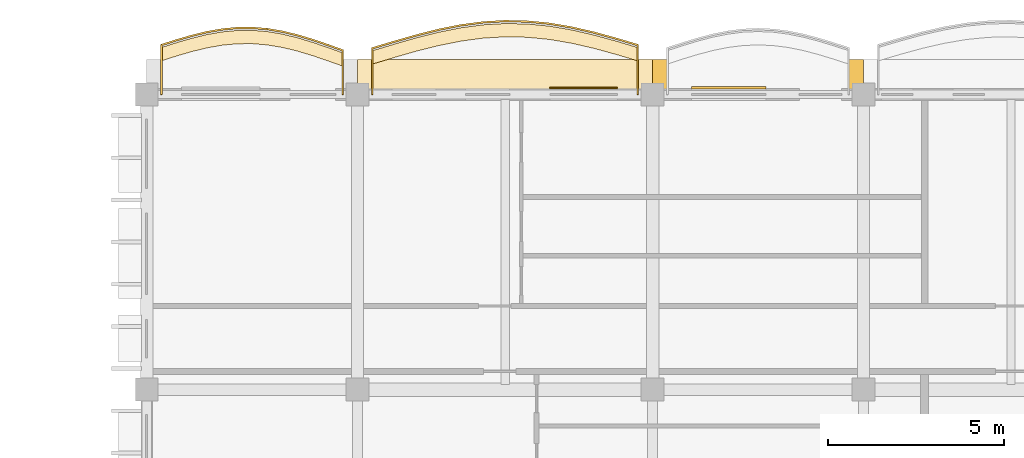
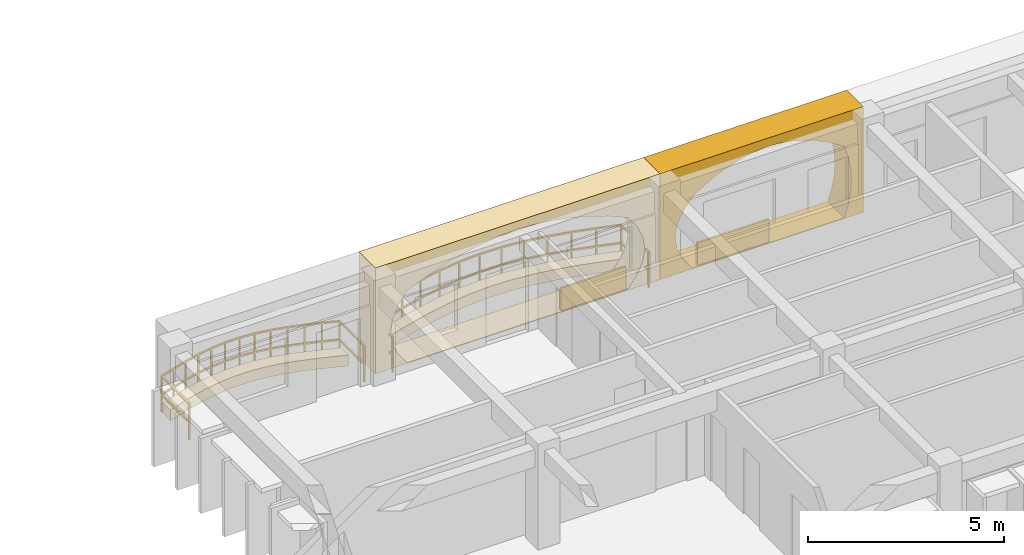
# One storey, part 55 of 70: 6 coverings, 2 railings.
"""IFC4 building model written with IfcOpenShell, lengths in metres."""

from ifc_helpers import new_model, si_unit, direction, frame, origin, origin_2d, place, context, subcontext, project, spatial, polyline, rectangle, outline, extrude, material, layer, layer_set, type_object, element, save


model = new_model("IFC4")

# Units and contexts
model_context = context("Model", 3, precision=1e-05, world=origin(), true_north=direction((0.0, 1.0)))
body_context = subcontext(model_context, "Body", "Model", "MODEL_VIEW")
ifc_project = project(units=[si_unit("LENGTHUNIT", "METRE"), si_unit("AREAUNIT", "SQUARE_METRE"), si_unit("VOLUMEUNIT", "CUBIC_METRE"), si_unit("PLANEANGLEUNIT", "RADIAN"), si_unit("MASSUNIT", "GRAM", prefix="KILO"), si_unit("THERMODYNAMICTEMPERATUREUNIT", "KELVIN")], contexts=[model_context])

# Site, building, storey
site_placement = place(None, origin())
site = spatial("IfcSite", under=ifc_project, at=site_placement, CompositionType="ELEMENT")
building_placement = place(site_placement, origin())
building = spatial("IfcBuilding", under=site, at=building_placement, Name="Thalorik Housing Commons", CompositionType="ELEMENT")
storey_placement = place(building_placement, frame((0.0, 0.0, 14.699951171875)))
storey = spatial("IfcBuildingStorey", under=building, at=storey_placement, Name="L04", CompositionType="ELEMENT", Elevation=14.699951171875)

# Coverings
ifc_material_1 = material(Name="Precast concrete C40/50", Category="concrete")
ifc_layer_1 = layer(ifc_material_1, 0.85009765625, Name="Precast concrete C40/50", Category="concrete")
ifc_layer_set_1 = layer_set([ifc_layer_1], Name="Precast concrete C40/50")
covering_type_1 = type_object("IfcCoveringType", Name="ARC-CLD-CUSH-850", PredefinedType="CLADDING", material=ifc_layer_set_1)
covering_1_placement = place(storey_placement, frame((97.800048828125, 124.177490234375, 0.0), z_axis=(0.0, 0.0, 1.0), x_axis=(-1.0, 0.0, 0.0)))
element("IfcCovering", 1, at=covering_1_placement, inside=storey, type_object=covering_type_1, Name="L04 White Precast Curved Cushion Bay Frame 2028", PredefinedType="CLADDING", context=body_context, shape_type="SweptSolid", body=[
    extrude(outline(polyline([(-3.0, 0.0), (3.0, 0.0), (3.0, 3.300048828125), (-3.0, 3.300048828125), (-3.0, 0.0)]), holes=[polyline([(2.0400390625, 0.02490234375), (2.3232421875, 0.3974609375), (2.493408203125, 0.77001953125), (2.550048828125, 1.142578125), (2.493408203125, 1.514892578125), (2.3232421875, 1.887451171875), (2.0400390625, 2.260009765625), (1.66748046875, 2.497314453125), (1.294921875, 2.683837890625), (0.922607421875, 2.8349609375), (0.550048828125, 2.947265625), (0.177490234375, 3.0166015625), (-0.195068359375, 3.0400390625), (-0.5673828125, 3.0166015625), (-0.93994140625, 2.947265625), (-1.3125, 2.8349609375), (-1.68505859375, 2.683837890625), (-2.0576171875, 2.497314453125), (-2.429931640625, 2.260009765625), (-2.55029296875, 1.887451171875), (-2.62255859375, 1.514892578125), (-2.646484375, 1.142578125), (-2.62255859375, 0.77001953125), (-2.55029296875, 0.3974609375), (-2.429931640625, 0.02490234375), (2.0400390625, 0.02490234375)])]), frame((0.0, 0.425048828125, 0.0), z_axis=(0.0, -1.0, 0.0), x_axis=(1.0, 0.0, 0.0)), (0.0, 0.0, 1.0), 0.85009765625),
])
covering_2_placement = place(storey_placement, frame((90.60009765625, 124.177490234375, 0.0), z_axis=(0.0, 0.0, 1.0), x_axis=(-1.0, 0.0, 0.0)))
element("IfcCovering", 2, at=covering_2_placement, inside=storey, type_object=covering_type_1, Name="L04 White Precast Curved Cushion Bay Frame 2030", PredefinedType="CLADDING", context=body_context, shape_type="SweptSolid", body=[
    extrude(outline(polyline([(-4.199951171875, 0.0), (4.199951171875, 0.0), (4.199951171875, 3.300048828125), (-4.199951171875, 3.300048828125), (-4.199951171875, 0.0)]), holes=[polyline([(3.265869140625, 0.02490234375), (3.534912109375, 0.399169921875), (3.6962890625, 0.773193359375), (3.75, 1.1474609375), (3.6962890625, 1.521728515625), (3.534912109375, 1.895751953125), (3.265869140625, 2.27001953125), (2.723388671875, 2.50439453125), (2.180908203125, 2.6884765625), (1.63818359375, 2.837646484375), (1.095703125, 2.948486328125), (0.55322265625, 3.016845703125), (0.0107421875, 3.0400390625), (-0.53173828125, 3.016845703125), (-1.07421875, 2.948486328125), (-1.61669921875, 2.837646484375), (-2.1591796875, 2.6884765625), (-2.70166015625, 2.50439453125), (-3.244140625, 2.27001953125), (-3.525146484375, 1.895751953125), (-3.69384765625, 1.521728515625), (-3.75, 1.1474609375), (-3.69384765625, 0.773193359375), (-3.525146484375, 0.399169921875), (-3.244140625, 0.02490234375), (3.265869140625, 0.02490234375)])]), frame((0.0, 0.425048828125, 0.0), z_axis=(0.0, -1.0, 0.0), x_axis=(1.0, 0.0, 0.0)), (0.0, 0.0, 1.0), 0.85009765625),
])
ifc_material_2 = material(Name="Terracotta red mineral fibre-cement panel", Category="masonry")
ifc_layer_2 = layer(ifc_material_2, 0.054931640625, Name="Terracotta red mineral fibre-cement panel", Category="masonry")
ifc_layer_set_2 = layer_set([ifc_layer_2], Name="Terracotta red mineral fibre-cement panel")
covering_type_2 = type_object("IfcCoveringType", Name="ARC-CLD-RED-55", PredefinedType="CLADDING", material=ifc_layer_set_2)
covering_3_placement = place(storey_placement, frame((92.834228515625, 123.784912109375, 0.05029296875), z_axis=(0.0, 0.0, 1.0), x_axis=(-1.0, 0.0, 0.0)))
element("IfcCovering", 3, at=covering_3_placement, inside=storey, type_object=covering_type_2, Name="L04 De Stijl Recessed Window Spandrel 2031", PredefinedType="CLADDING", context=body_context, shape_type="SweptSolid", body=[
    extrude(rectangle(XDim=1.919921875, YDim=0.054931640625, at=origin_2d()), origin(), (0.0, 0.0, 1.0), 0.699951171875),
])
ifc_material_3 = material(Name="Mineral ochre architectural terracotta panel", Category="masonry")
ifc_layer_3 = layer(ifc_material_3, 0.06494140625, Name="Mineral ochre architectural terracotta panel", Category="masonry")
ifc_layer_set_3 = layer_set([ifc_layer_3], Name="Mineral ochre architectural terracotta panel")
covering_type_3 = type_object("IfcCoveringType", Name="ARC-CLD-YEL-65", PredefinedType="CLADDING", material=ifc_layer_set_3)
covering_4_placement = place(storey_placement, frame((96.9599609375, 123.7900390625, 0.05029296875), z_axis=(0.0, 0.0, 1.0), x_axis=(-1.0, 0.0, 0.0)))
element("IfcCovering", 4, at=covering_4_placement, inside=storey, type_object=covering_type_3, Name="L04 De Stijl Recessed Window Spandrel 2029", PredefinedType="CLADDING", context=body_context, shape_type="SweptSolid", body=[
    extrude(rectangle(XDim=2.1201171875, YDim=0.06494140625, at=origin_2d()), origin(), (0.0, 0.0, 1.0), 0.699951171875),
])
ifc_material_4 = material(Name="Planted vegetated substrate and terracotta trough", Category="masonry")
ifc_layer_4 = layer(ifc_material_4, 0.340087890625, Name="Planted vegetated substrate and terracotta trough", Category="masonry")
ifc_layer_set_4 = layer_set([ifc_layer_4], Name="Planted vegetated substrate and terracotta trough")
covering_type_4 = type_object("IfcCoveringType", Name="ARC-COV-PLANTER", PredefinedType="USERDEFINED", material=ifc_layer_set_4)
covering_5_placement = place(storey_placement, origin())
element("IfcCovering", 5, at=covering_5_placement, inside=storey, type_object=covering_type_4, Name="L04 Balcony Slab-Edge Planted Trough 5451", ObjectType="PLANTER", PredefinedType="USERDEFINED", context=body_context, shape_type="SweptSolid", body=[
    extrude(outline(polyline([(85.97998046875, 124.786865234375), (85.550048828125, 124.939697265625), (85.1201171875, 125.086181640625), (84.68994140625, 125.2158203125), (84.260009765625, 125.31982421875), (83.830078125, 125.391845703125), (83.39990234375, 125.427001953125), (82.969970703125, 125.423095703125), (82.5400390625, 125.381591796875), (82.110107421875, 125.305419921875), (81.679931640625, 125.20068359375), (81.25, 125.075439453125), (80.820068359375, 124.938720703125), (80.820068359375, 124.55859375), (81.25, 124.695556640625), (81.679931640625, 124.82080078125), (82.110107421875, 124.925537109375), (82.5400390625, 125.001708984375), (82.969970703125, 125.043212890625), (83.39990234375, 125.046875), (83.830078125, 125.01171875), (84.260009765625, 124.93994140625), (84.68994140625, 124.835693359375), (85.1201171875, 124.7060546875), (85.550048828125, 124.559814453125), (85.97998046875, 124.40673828125), (85.97998046875, 124.786865234375)])), origin(), (0.0, 0.0, 1.0), 0.340087890625),
])
covering_6_placement = place(storey_placement, origin())
element("IfcCovering", 6, at=covering_6_placement, inside=storey, type_object=covering_type_4, Name="L04 Balcony Slab-Edge Planted Trough 5452", ObjectType="PLANTER", PredefinedType="USERDEFINED", context=body_context, shape_type="SweptSolid", body=[
    extrude(outline(polyline([(94.3798828125, 124.935791015625), (93.75, 125.12353515625), (93.1201171875, 125.29541015625), (92.489990234375, 125.439697265625), (91.860107421875, 125.54638671875), (91.22998046875, 125.6083984375), (90.60009765625, 125.620849609375), (89.969970703125, 125.58349609375), (89.340087890625, 125.4990234375), (88.7099609375, 125.372802734375), (88.080078125, 125.21435546875), (87.449951171875, 125.0341796875), (86.820068359375, 124.844970703125), (86.820068359375, 124.465087890625), (87.449951171875, 124.654296875), (88.080078125, 124.834228515625), (88.7099609375, 124.992919921875), (89.340087890625, 125.118896484375), (89.969970703125, 125.20361328125), (90.60009765625, 125.240966796875), (91.22998046875, 125.228271484375), (91.860107421875, 125.16650390625), (92.489990234375, 125.059814453125), (93.1201171875, 124.91552734375), (93.75, 124.743408203125), (94.3798828125, 124.555908203125), (94.3798828125, 124.935791015625)])), origin(), (0.0, 0.0, 1.0), 0.340087890625),
])

# Railings
ifc_material_5 = material(Name="Steel S355", Category="steel")
railing_type_1 = type_object("IfcRailingType", Name="ARC-RL-BAL-112", PredefinedType="BALUSTRADE", material=ifc_material_5)
railing_1_placement = place(storey_placement, frame((94.3798828125, 123.60009765625, 0.0)))
element("IfcRailing", 7, at=railing_1_placement, inside=storey, type_object=railing_type_1, Name="L04 Cushion Balcony Guardrail 136", PredefinedType="BALUSTRADE", context=body_context, shape_type="SweptSolid", body=[
    extrude(rectangle(XDim=0.050048828125, YDim=0.050048828125, at=origin_2d()), frame((0.0, 0.0, 1.09521484375), z_axis=(0.0, 1.0, 0.0), x_axis=(-1.0, 0.0, 0.0)), (0.0, 0.0, 1.0), 1.40576171875),
    extrude(rectangle(XDim=0.050048828125, YDim=0.050048828125, at=origin_2d()), frame((0.0, 0.0, 0.53515625), z_axis=(0.0, 1.0, 0.0), x_axis=(-1.0, 0.0, 0.0)), (0.0, 0.0, 1.0), 1.40576171875),
    extrude(rectangle(XDim=0.050048828125, YDim=0.050048828125, at=origin_2d()), frame((0.0, 1.40576171875, 1.09521484375), z_axis=(-0.958335936708, 0.285643540825, 0.0), x_axis=(-0.285643540825, -0.958335936708, 0.0)), (0.0, 0.0, 1.0), 0.6572265625),
    extrude(rectangle(XDim=0.050048828125, YDim=0.050048828125, at=origin_2d()), frame((0.0, 1.40576171875, 0.53515625), z_axis=(-0.958335936708, 0.285643540825, 0.0), x_axis=(-0.285643540825, -0.958335936708, 0.0)), (0.0, 0.0, 1.0), 0.6572265625),
    extrude(rectangle(XDim=0.050048828125, YDim=0.050048828125, at=origin_2d()), frame((-0.6298828125, 1.593505859375, 1.09521484375), z_axis=(-0.964729296683, 0.263243963126, 0.0), x_axis=(-0.263243963126, -0.964729296683, 0.0)), (0.0, 0.0, 1.0), 0.65283203125),
    extrude(rectangle(XDim=0.050048828125, YDim=0.050048828125, at=origin_2d()), frame((-0.6298828125, 1.593505859375, 0.53515625), z_axis=(-0.964729296683, 0.263243963126, 0.0), x_axis=(-0.263243963126, -0.964729296683, 0.0)), (0.0, 0.0, 1.0), 0.65283203125),
    extrude(rectangle(XDim=0.050048828125, YDim=0.050048828125, at=origin_2d()), frame((-1.259765625, 1.765380859375, 1.09521484375), z_axis=(-0.974771705856, 0.223204214708, 0.0), x_axis=(-0.223204214708, -0.974771705856, 0.0)), (0.0, 0.0, 1.0), 0.646484375),
    extrude(rectangle(XDim=0.050048828125, YDim=0.050048828125, at=origin_2d()), frame((-1.259765625, 1.765380859375, 0.53515625), z_axis=(-0.974771705856, 0.223204214708, 0.0), x_axis=(-0.223204214708, -0.974771705856, 0.0)), (0.0, 0.0, 1.0), 0.646484375),
    extrude(rectangle(XDim=0.050048828125, YDim=0.050048828125, at=origin_2d()), frame((-1.889892578125, 1.90966796875, 1.09521484375), z_axis=(-0.985956693723, 0.167001191921, 0.0), x_axis=(-0.167001191921, -0.985956693723, 0.0)), (0.0, 0.0, 1.0), 0.638916015625),
    extrude(rectangle(XDim=0.050048828125, YDim=0.050048828125, at=origin_2d()), frame((-1.889892578125, 1.90966796875, 0.53515625), z_axis=(-0.985956693723, 0.167001191921, 0.0), x_axis=(-0.167001191921, -0.985956693723, 0.0)), (0.0, 0.0, 1.0), 0.638916015625),
    extrude(rectangle(XDim=0.050048828125, YDim=0.050048828125, at=origin_2d()), frame((-2.519775390625, 2.016357421875, 1.09521484375), z_axis=(-0.995229993395, 0.097556446466, 0.0), x_axis=(-0.097556446466, -0.995229993395, 0.0)), (0.0, 0.0, 1.0), 0.633056640625),
    extrude(rectangle(XDim=0.050048828125, YDim=0.050048828125, at=origin_2d()), frame((-2.519775390625, 2.016357421875, 0.53515625), z_axis=(-0.995229993395, 0.097556446466, 0.0), x_axis=(-0.097556446466, -0.995229993395, 0.0)), (0.0, 0.0, 1.0), 0.633056640625),
    extrude(rectangle(XDim=0.050048828125, YDim=0.050048828125, at=origin_2d()), frame((-3.14990234375, 2.078125, 1.09521484375), z_axis=(-0.999796949068, 0.02015094626, 0.0), x_axis=(-0.02015094626, -0.999796949068, 0.0)), (0.0, 0.0, 1.0), 0.630126953125),
    extrude(rectangle(XDim=0.050048828125, YDim=0.050048828125, at=origin_2d()), frame((-3.14990234375, 2.078125, 0.53515625), z_axis=(-0.999796949068, 0.02015094626, 0.0), x_axis=(-0.02015094626, -0.999796949068, 0.0)), (0.0, 0.0, 1.0), 0.630126953125),
    extrude(rectangle(XDim=0.050048828125, YDim=0.050048828125, at=origin_2d()), frame((-3.77978515625, 2.0908203125, 1.09521484375), z_axis=(-0.998247596549, -0.059175467754, 0.0), x_axis=(0.059175467754, -0.998247596549, 0.0)), (0.0, 0.0, 1.0), 0.63134765625),
    extrude(rectangle(XDim=0.050048828125, YDim=0.050048828125, at=origin_2d()), frame((-3.77978515625, 2.0908203125, 0.53515625), z_axis=(-0.998247596549, -0.059175467754, 0.0), x_axis=(0.059175467754, -0.998247596549, 0.0)), (0.0, 0.0, 1.0), 0.63134765625),
    extrude(rectangle(XDim=0.050048828125, YDim=0.050048828125, at=origin_2d()), frame((-4.409912109375, 2.053466796875, 1.09521484375), z_axis=(-0.991126960546, -0.132918576879, 0.0), x_axis=(0.132918576879, -0.991126960546, 0.0)), (0.0, 0.0, 1.0), 0.635498046875),
    extrude(rectangle(XDim=0.050048828125, YDim=0.050048828125, at=origin_2d()), frame((-4.409912109375, 2.053466796875, 0.53515625), z_axis=(-0.991126960546, -0.132918576879, 0.0), x_axis=(0.132918576879, -0.991126960546, 0.0)), (0.0, 0.0, 1.0), 0.635498046875),
    extrude(rectangle(XDim=0.050048828125, YDim=0.050048828125, at=origin_2d()), frame((-5.039794921875, 1.968994140625, 1.09521484375), z_axis=(-0.980522185975, -0.196408357284, 0.0), x_axis=(0.196408357284, -0.980522185975, 0.0)), (0.0, 0.0, 1.0), 0.642578125),
    extrude(rectangle(XDim=0.050048828125, YDim=0.050048828125, at=origin_2d()), frame((-5.039794921875, 1.968994140625, 0.53515625), z_axis=(-0.980522185975, -0.196408357284, 0.0), x_axis=(0.196408357284, -0.980522185975, 0.0)), (0.0, 0.0, 1.0), 0.642578125),
    extrude(rectangle(XDim=0.050048828125, YDim=0.050048828125, at=origin_2d()), frame((-5.669921875, 1.8427734375, 1.09521484375), z_axis=(-0.969698708752, -0.244303938251, 0.0), x_axis=(0.244303938251, -0.969698708752, 0.0)), (0.0, 0.0, 1.0), 0.649658203125),
    extrude(rectangle(XDim=0.050048828125, YDim=0.050048828125, at=origin_2d()), frame((-5.669921875, 1.8427734375, 0.53515625), z_axis=(-0.969698708752, -0.244303938251, 0.0), x_axis=(0.244303938251, -0.969698708752, 0.0)), (0.0, 0.0, 1.0), 0.649658203125),
    extrude(rectangle(XDim=0.050048828125, YDim=0.050048828125, at=origin_2d()), frame((-6.2998046875, 1.68408203125, 1.09521484375), z_axis=(-0.96156611242, -0.274573508273, 0.0), x_axis=(0.274573508273, -0.96156611242, 0.0)), (0.0, 0.0, 1.0), 0.6552734375),
    extrude(rectangle(XDim=0.050048828125, YDim=0.050048828125, at=origin_2d()), frame((-6.2998046875, 1.68408203125, 0.53515625), z_axis=(-0.96156611242, -0.274573508273, 0.0), x_axis=(0.274573508273, -0.96156611242, 0.0)), (0.0, 0.0, 1.0), 0.6552734375),
    extrude(rectangle(XDim=0.050048828125, YDim=0.050048828125, at=origin_2d()), frame((-6.929931640625, 1.504150390625, 1.09521484375), z_axis=(-0.957724056546, -0.287688427839, 0.0), x_axis=(0.287688427839, -0.957724056546, 0.0)), (0.0, 0.0, 1.0), 0.65771484375),
    extrude(rectangle(XDim=0.050048828125, YDim=0.050048828125, at=origin_2d()), frame((-6.929931640625, 1.504150390625, 0.53515625), z_axis=(-0.957724056546, -0.287688427839, 0.0), x_axis=(0.287688427839, -0.957724056546, 0.0)), (0.0, 0.0, 1.0), 0.65771484375),
    extrude(rectangle(XDim=0.050048828125, YDim=0.050048828125, at=origin_2d()), frame((-7.559814453125, 1.31494140625, 1.09521484375), z_axis=(0.0, -1.0, 0.0), x_axis=(1.0, 0.0, 0.0)), (0.0, 0.0, 1.0), 1.31494140625),
    extrude(rectangle(XDim=0.050048828125, YDim=0.050048828125, at=origin_2d()), frame((-7.559814453125, 1.31494140625, 0.53515625), z_axis=(0.0, -1.0, 0.0), x_axis=(1.0, 0.0, 0.0)), (0.0, 0.0, 1.0), 1.31494140625),
    extrude(rectangle(XDim=0.0419921875, YDim=0.0419921875, at=origin_2d()), origin(), (0.0, 0.0, 1.0), 1.070068359375),
    extrude(rectangle(XDim=0.0419921875, YDim=0.0419921875, at=origin_2d()), frame((0.0, 1.40576171875, 0.0)), (0.0, 0.0, 1.0), 1.070068359375),
    extrude(rectangle(XDim=0.0419921875, YDim=0.0419921875, at=origin_2d()), frame((-0.6298828125, 1.593505859375, 0.0)), (0.0, 0.0, 1.0), 1.070068359375),
    extrude(rectangle(XDim=0.0419921875, YDim=0.0419921875, at=origin_2d()), frame((-1.259765625, 1.765380859375, 0.0)), (0.0, 0.0, 1.0), 1.070068359375),
    extrude(rectangle(XDim=0.0419921875, YDim=0.0419921875, at=origin_2d()), frame((-1.889892578125, 1.90966796875, 0.0)), (0.0, 0.0, 1.0), 1.070068359375),
    extrude(rectangle(XDim=0.0419921875, YDim=0.0419921875, at=origin_2d()), frame((-2.519775390625, 2.016357421875, 0.0)), (0.0, 0.0, 1.0), 1.070068359375),
    extrude(rectangle(XDim=0.0419921875, YDim=0.0419921875, at=origin_2d()), frame((-3.14990234375, 2.078125, 0.0)), (0.0, 0.0, 1.0), 1.070068359375),
    extrude(rectangle(XDim=0.0419921875, YDim=0.0419921875, at=origin_2d()), frame((-3.77978515625, 2.0908203125, 0.0)), (0.0, 0.0, 1.0), 1.070068359375),
    extrude(rectangle(XDim=0.0419921875, YDim=0.0419921875, at=origin_2d()), frame((-4.409912109375, 2.053466796875, 0.0)), (0.0, 0.0, 1.0), 1.070068359375),
    extrude(rectangle(XDim=0.0419921875, YDim=0.0419921875, at=origin_2d()), frame((-5.039794921875, 1.968994140625, 0.0)), (0.0, 0.0, 1.0), 1.070068359375),
    extrude(rectangle(XDim=0.0419921875, YDim=0.0419921875, at=origin_2d()), frame((-5.669921875, 1.8427734375, 0.0)), (0.0, 0.0, 1.0), 1.070068359375),
    extrude(rectangle(XDim=0.0419921875, YDim=0.0419921875, at=origin_2d()), frame((-6.2998046875, 1.68408203125, 0.0)), (0.0, 0.0, 1.0), 1.070068359375),
    extrude(rectangle(XDim=0.0419921875, YDim=0.0419921875, at=origin_2d()), frame((-6.929931640625, 1.504150390625, 0.0)), (0.0, 0.0, 1.0), 1.070068359375),
    extrude(rectangle(XDim=0.0419921875, YDim=0.0419921875, at=origin_2d()), frame((-7.559814453125, 1.31494140625, 0.0)), (0.0, 0.0, 1.0), 1.070068359375),
    extrude(rectangle(XDim=0.0419921875, YDim=0.0419921875, at=origin_2d()), frame((-7.559814453125, 0.0, 0.0)), (0.0, 0.0, 1.0), 1.070068359375),
])
railing_type_2 = type_object("IfcRailingType", Name="ARC-RL-BAL-115", PredefinedType="BALUSTRADE", material=ifc_material_5)
railing_2_placement = place(storey_placement, frame((85.97998046875, 123.60009765625, 0.0)))
element("IfcRailing", 8, at=railing_2_placement, inside=storey, type_object=railing_type_2, Name="L04 Cushion Balcony Guardrail 135", PredefinedType="BALUSTRADE", context=body_context, shape_type="SweptSolid", body=[
    extrude(rectangle(XDim=0.050048828125, YDim=0.050048828125, at=origin_2d()), frame((0.0, 0.0, 1.125), z_axis=(0.0, 1.0, 0.0), x_axis=(-1.0, 0.0, 0.0)), (0.0, 0.0, 1.0), 1.256591796875),
    extrude(rectangle(XDim=0.050048828125, YDim=0.050048828125, at=origin_2d()), frame((0.0, 0.0, 0.5498046875), z_axis=(0.0, 1.0, 0.0), x_axis=(-1.0, 0.0, 0.0)), (0.0, 0.0, 1.0), 1.256591796875),
    extrude(rectangle(XDim=0.050048828125, YDim=0.050048828125, at=origin_2d()), frame((0.0, 1.256591796875, 1.125), z_axis=(-0.942068253885, 0.335421235199, 0.0), x_axis=(-0.335421235199, -0.942068253885, 0.0)), (0.0, 0.0, 1.0), 0.456298828125),
    extrude(rectangle(XDim=0.050048828125, YDim=0.050048828125, at=origin_2d()), frame((0.0, 1.256591796875, 0.5498046875), z_axis=(-0.942068253885, 0.335421235199, 0.0), x_axis=(-0.335421235199, -0.942068253885, 0.0)), (0.0, 0.0, 1.0), 0.456298828125),
    extrude(rectangle(XDim=0.050048828125, YDim=0.050048828125, at=origin_2d()), frame((-0.429931640625, 1.40966796875, 1.125), z_axis=(-0.94673013643, 0.322028024828, 0.0), x_axis=(-0.322028024828, -0.94673013643, 0.0)), (0.0, 0.0, 1.0), 0.4541015625),
    extrude(rectangle(XDim=0.050048828125, YDim=0.050048828125, at=origin_2d()), frame((-0.429931640625, 1.40966796875, 0.5498046875), z_axis=(-0.94673013643, 0.322028024828, 0.0), x_axis=(-0.322028024828, -0.94673013643, 0.0)), (0.0, 0.0, 1.0), 0.4541015625),
    extrude(rectangle(XDim=0.050048828125, YDim=0.050048828125, at=origin_2d()), frame((-0.85986328125, 1.555908203125, 1.125), z_axis=(-0.957466596389, 0.288544133191, 0.0), x_axis=(-0.288544133191, -0.957466596389, 0.0)), (0.0, 0.0, 1.0), 0.44921875),
    extrude(rectangle(XDim=0.050048828125, YDim=0.050048828125, at=origin_2d()), frame((-0.85986328125, 1.555908203125, 0.5498046875), z_axis=(-0.957466596389, 0.288544133191, 0.0), x_axis=(-0.288544133191, -0.957466596389, 0.0)), (0.0, 0.0, 1.0), 0.44921875),
    extrude(rectangle(XDim=0.050048828125, YDim=0.050048828125, at=origin_2d()), frame((-1.2900390625, 1.685546875, 1.125), z_axis=(-0.971838617266, 0.235647410319, 0.0), x_axis=(-0.235647410319, -0.971838617266, 0.0)), (0.0, 0.0, 1.0), 0.4423828125),
    extrude(rectangle(XDim=0.050048828125, YDim=0.050048828125, at=origin_2d()), frame((-1.2900390625, 1.685546875, 0.5498046875), z_axis=(-0.971838617266, 0.235647410319, 0.0), x_axis=(-0.235647410319, -0.971838617266, 0.0)), (0.0, 0.0, 1.0), 0.4423828125),
    extrude(rectangle(XDim=0.050048828125, YDim=0.050048828125, at=origin_2d()), frame((-1.719970703125, 1.789794921875, 1.125), z_axis=(-0.986257355507, 0.165216308844, 0.0), x_axis=(-0.165216308844, -0.986257355507, 0.0)), (0.0, 0.0, 1.0), 0.43603515625),
    extrude(rectangle(XDim=0.050048828125, YDim=0.050048828125, at=origin_2d()), frame((-1.719970703125, 1.789794921875, 0.5498046875), z_axis=(-0.986257355507, 0.165216308844, 0.0), x_axis=(-0.165216308844, -0.986257355507, 0.0)), (0.0, 0.0, 1.0), 0.43603515625),
    extrude(rectangle(XDim=0.050048828125, YDim=0.050048828125, at=origin_2d()), frame((-2.14990234375, 1.86181640625, 1.125), z_axis=(-0.996722887634, 0.080891812107, 0.0), x_axis=(-0.080891812107, -0.996722887634, 0.0)), (0.0, 0.0, 1.0), 0.431640625),
    extrude(rectangle(XDim=0.050048828125, YDim=0.050048828125, at=origin_2d()), frame((-2.14990234375, 1.86181640625, 0.5498046875), z_axis=(-0.996722887634, 0.080891812107, 0.0), x_axis=(-0.080891812107, -0.996722887634, 0.0)), (0.0, 0.0, 1.0), 0.431640625),
    extrude(rectangle(XDim=0.050048828125, YDim=0.050048828125, at=origin_2d()), frame((-2.580078125, 1.896728515625, 1.125), z_axis=(-0.99996372477, -0.008517578576, 0.0), x_axis=(0.008517578576, -0.99996372477, 0.0)), (0.0, 0.0, 1.0), 0.429931640625),
    extrude(rectangle(XDim=0.050048828125, YDim=0.050048828125, at=origin_2d()), frame((-2.580078125, 1.896728515625, 0.5498046875), z_axis=(-0.99996372477, -0.008517578576, 0.0), x_axis=(0.008517578576, -0.99996372477, 0.0)), (0.0, 0.0, 1.0), 0.429931640625),
    extrude(rectangle(XDim=0.050048828125, YDim=0.050048828125, at=origin_2d()), frame((-3.010009765625, 1.89306640625, 1.125), z_axis=(-0.995372711657, -0.096089358877, 0.0), x_axis=(0.096089358877, -0.995372711657, 0.0)), (0.0, 0.0, 1.0), 0.431884765625),
    extrude(rectangle(XDim=0.050048828125, YDim=0.050048828125, at=origin_2d()), frame((-3.010009765625, 1.89306640625, 0.5498046875), z_axis=(-0.995372711657, -0.096089358877, 0.0), x_axis=(0.096089358877, -0.995372711657, 0.0)), (0.0, 0.0, 1.0), 0.431884765625),
    extrude(rectangle(XDim=0.050048828125, YDim=0.050048828125, at=origin_2d()), frame((-3.43994140625, 1.8515625, 1.125), z_axis=(-0.984665121198, -0.174455149241, 0.0), x_axis=(0.174455149241, -0.984665121198, 0.0)), (0.0, 0.0, 1.0), 0.4365234375),
    extrude(rectangle(XDim=0.050048828125, YDim=0.050048828125, at=origin_2d()), frame((-3.43994140625, 1.8515625, 0.5498046875), z_axis=(-0.984665121198, -0.174455149241, 0.0), x_axis=(0.174455149241, -0.984665121198, 0.0)), (0.0, 0.0, 1.0), 0.4365234375),
    extrude(rectangle(XDim=0.050048828125, YDim=0.050048828125, at=origin_2d()), frame((-3.869873046875, 1.775390625, 1.125), z_axis=(-0.971616240385, -0.236562637415, 0.0), x_axis=(0.236562637415, -0.971616240385, 0.0)), (0.0, 0.0, 1.0), 0.442626953125),
    extrude(rectangle(XDim=0.050048828125, YDim=0.050048828125, at=origin_2d()), frame((-3.869873046875, 1.775390625, 0.5498046875), z_axis=(-0.971616240385, -0.236562637415, 0.0), x_axis=(0.236562637415, -0.971616240385, 0.0)), (0.0, 0.0, 1.0), 0.442626953125),
    extrude(rectangle(XDim=0.050048828125, YDim=0.050048828125, at=origin_2d()), frame((-4.300048828125, 1.670654296875, 1.125), z_axis=(-0.960091541697, -0.27968595167, 0.0), x_axis=(0.27968595167, -0.960091541697, 0.0)), (0.0, 0.0, 1.0), 0.44775390625),
    extrude(rectangle(XDim=0.050048828125, YDim=0.050048828125, at=origin_2d()), frame((-4.300048828125, 1.670654296875, 0.5498046875), z_axis=(-0.960091541697, -0.27968595167, 0.0), x_axis=(0.27968595167, -0.960091541697, 0.0)), (0.0, 0.0, 1.0), 0.44775390625),
    extrude(rectangle(XDim=0.050048828125, YDim=0.050048828125, at=origin_2d()), frame((-4.72998046875, 1.54541015625, 1.125), z_axis=(-0.952975516976, -0.30304729671, 0.0), x_axis=(0.30304729671, -0.952975516976, 0.0)), (0.0, 0.0, 1.0), 0.451171875),
    extrude(rectangle(XDim=0.050048828125, YDim=0.050048828125, at=origin_2d()), frame((-4.72998046875, 1.54541015625, 0.5498046875), z_axis=(-0.952975516976, -0.30304729671, 0.0), x_axis=(0.30304729671, -0.952975516976, 0.0)), (0.0, 0.0, 1.0), 0.451171875),
    extrude(rectangle(XDim=0.050048828125, YDim=0.050048828125, at=origin_2d()), frame((-5.159912109375, 1.40869140625, 1.125), z_axis=(0.0, -1.0, 0.0), x_axis=(1.0, 0.0, 0.0)), (0.0, 0.0, 1.0), 1.40869140625),
    extrude(rectangle(XDim=0.050048828125, YDim=0.050048828125, at=origin_2d()), frame((-5.159912109375, 1.40869140625, 0.5498046875), z_axis=(0.0, -1.0, 0.0), x_axis=(1.0, 0.0, 0.0)), (0.0, 0.0, 1.0), 1.40869140625),
    extrude(rectangle(XDim=0.0419921875, YDim=0.0419921875, at=origin_2d()), origin(), (0.0, 0.0, 1.0), 1.099853515625),
    extrude(rectangle(XDim=0.0419921875, YDim=0.0419921875, at=origin_2d()), frame((0.0, 1.256591796875, 0.0)), (0.0, 0.0, 1.0), 1.099853515625),
    extrude(rectangle(XDim=0.0419921875, YDim=0.0419921875, at=origin_2d()), frame((-0.429931640625, 1.40966796875, 0.0)), (0.0, 0.0, 1.0), 1.099853515625),
    extrude(rectangle(XDim=0.0419921875, YDim=0.0419921875, at=origin_2d()), frame((-0.85986328125, 1.555908203125, 0.0)), (0.0, 0.0, 1.0), 1.099853515625),
    extrude(rectangle(XDim=0.0419921875, YDim=0.0419921875, at=origin_2d()), frame((-1.2900390625, 1.685546875, 0.0)), (0.0, 0.0, 1.0), 1.099853515625),
    extrude(rectangle(XDim=0.0419921875, YDim=0.0419921875, at=origin_2d()), frame((-1.719970703125, 1.789794921875, 0.0)), (0.0, 0.0, 1.0), 1.099853515625),
    extrude(rectangle(XDim=0.0419921875, YDim=0.0419921875, at=origin_2d()), frame((-2.14990234375, 1.86181640625, 0.0)), (0.0, 0.0, 1.0), 1.099853515625),
    extrude(rectangle(XDim=0.0419921875, YDim=0.0419921875, at=origin_2d()), frame((-2.580078125, 1.896728515625, 0.0)), (0.0, 0.0, 1.0), 1.099853515625),
    extrude(rectangle(XDim=0.0419921875, YDim=0.0419921875, at=origin_2d()), frame((-3.010009765625, 1.89306640625, 0.0)), (0.0, 0.0, 1.0), 1.099853515625),
    extrude(rectangle(XDim=0.0419921875, YDim=0.0419921875, at=origin_2d()), frame((-3.43994140625, 1.8515625, 0.0)), (0.0, 0.0, 1.0), 1.099853515625),
    extrude(rectangle(XDim=0.0419921875, YDim=0.0419921875, at=origin_2d()), frame((-3.869873046875, 1.775390625, 0.0)), (0.0, 0.0, 1.0), 1.099853515625),
    extrude(rectangle(XDim=0.0419921875, YDim=0.0419921875, at=origin_2d()), frame((-4.300048828125, 1.670654296875, 0.0)), (0.0, 0.0, 1.0), 1.099853515625),
    extrude(rectangle(XDim=0.0419921875, YDim=0.0419921875, at=origin_2d()), frame((-4.72998046875, 1.54541015625, 0.0)), (0.0, 0.0, 1.0), 1.099853515625),
    extrude(rectangle(XDim=0.0419921875, YDim=0.0419921875, at=origin_2d()), frame((-5.159912109375, 1.40869140625, 0.0)), (0.0, 0.0, 1.0), 1.099853515625),
    extrude(rectangle(XDim=0.0419921875, YDim=0.0419921875, at=origin_2d()), frame((-5.159912109375, 0.0, 0.0)), (0.0, 0.0, 1.0), 1.099853515625),
])

save(model, "model.ifc")
